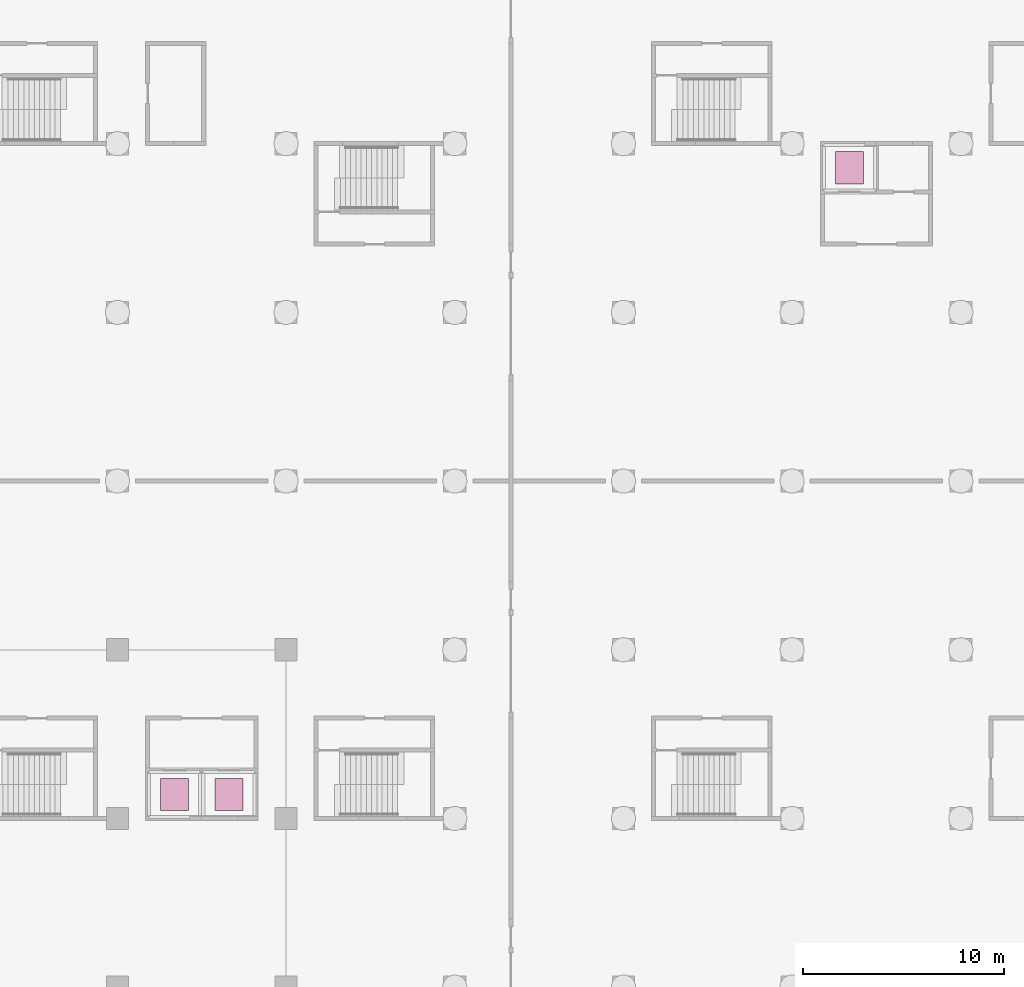
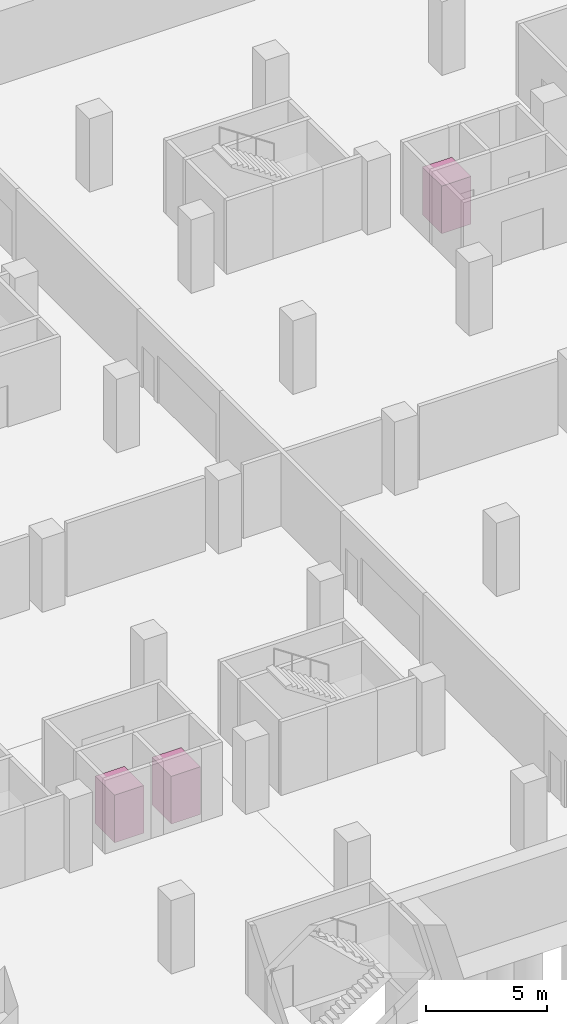
# One storey, part 19 of 19: 3 transport elements.
"""IFC4 building model written with IfcOpenShell, lengths in metres."""

from ifc_helpers import new_model, si_unit, direction, frame, origin, origin_2d, place, context, subcontext, project, spatial, rectangle, extrude, material, type_object, element, save


model = new_model("IFC4")

# Units and contexts
model_context = context("Model", 3, precision=1e-05, world=origin(), true_north=direction((0.0, 1.0)))
body_context = subcontext(model_context, "Body", "Model", "MODEL_VIEW")
ifc_project = project(units=[si_unit("LENGTHUNIT", "METRE"), si_unit("AREAUNIT", "SQUARE_METRE"), si_unit("VOLUMEUNIT", "CUBIC_METRE"), si_unit("PLANEANGLEUNIT", "RADIAN"), si_unit("MASSUNIT", "GRAM", prefix="KILO")], contexts=[model_context])

# Site, building, storey
site_placement = place(None, origin())
site = spatial("IfcSite", under=ifc_project, at=site_placement, CompositionType="ELEMENT")
building_placement = place(site_placement, origin())
building = spatial("IfcBuilding", under=site, at=building_placement, Name="Vermilion Gate Residences", CompositionType="ELEMENT")
storey_placement = place(building_placement, frame((0.0, 0.0, -8.0)))
storey = spatial("IfcBuildingStorey", under=building, at=storey_placement, Name="B2", CompositionType="ELEMENT", Elevation=-8.0)

# Transport elements
ifc_material = material(Name="Stainless steel", Category="steel")
transport_element_type = type_object("IfcTransportElementType", Name="GARAGE LIFT 1000 KG (AMENITY)", PredefinedType="ELEVATOR", material=ifc_material)
for number, where, z_axis, x_axis, name in (
    (1, (61.64990234375, 51.60009765625, 0.0), (0.0, 0.0, 1.0), (1.0, 0.0, 0.0), "Garage lift G1.1 (accessible)"),
    (2, (64.35009765625, 51.60009765625, 0.0), (0.0, 0.0, 1.0), (1.0, 0.0, 0.0), "Garage lift G1.2"),
    (3, (95.25, 82.800048828125, 0.0), (0.0, 0.0, 1.0), (1.0, 0.0, 0.0), "Garage lift G2.1"),
):
    element("IfcTransportElement", number, at=place(storey_placement, frame(where, z_axis=z_axis, x_axis=x_axis)), inside=storey, type_object=transport_element_type, Name=name, PredefinedType="ELEVATOR", context=body_context, shape_type="SweptSolid", body=[
        extrude(rectangle(XDim=1.39990234375, YDim=1.60009765625, at=origin_2d()), origin(), (0.0, 0.0, 1.0), 2.39990234375),
    ])

save(model, "model.ifc")
